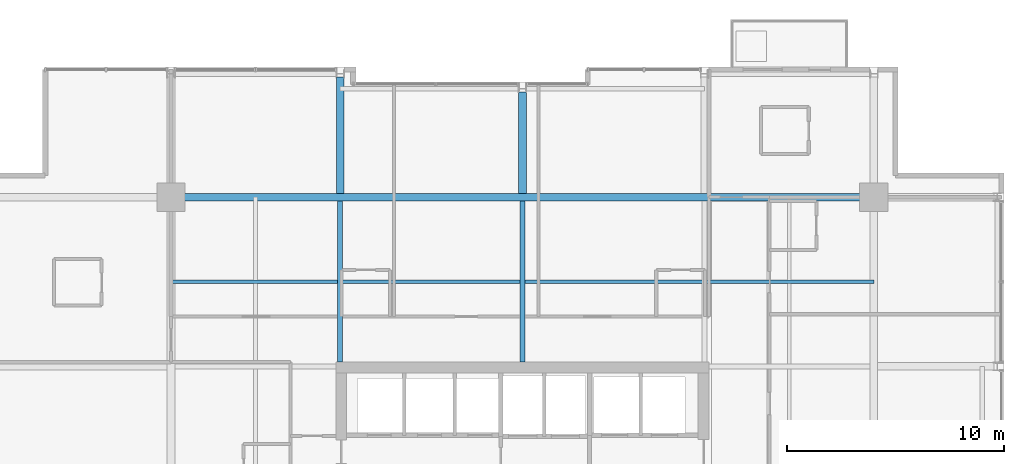
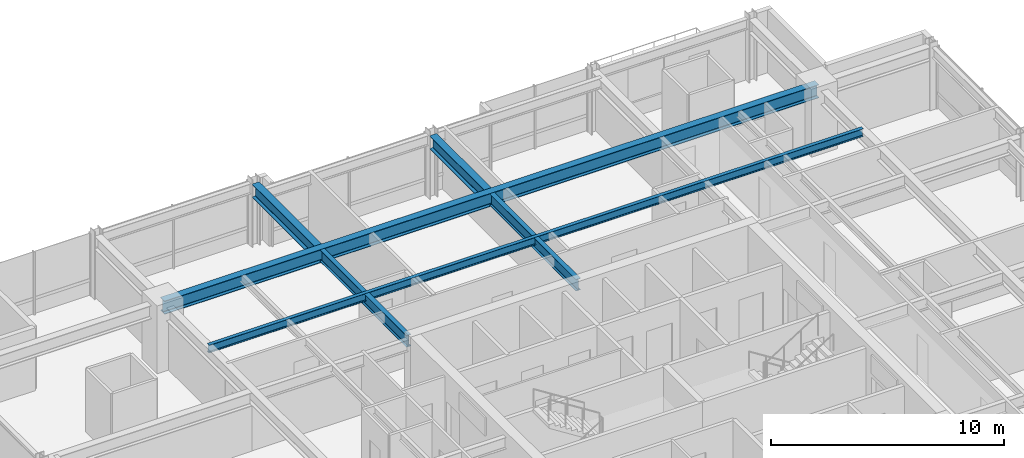
# One storey, part 20 of 33: 6 beams.
"""IFC4 building model written with IfcOpenShell, lengths in metres."""

from ifc_helpers import new_model, si_unit, direction, frame, origin, origin_2d, place, context, subcontext, project, spatial, i_section, extrude, material, material_profile, profile_set, type_object, element, save


model = new_model("IFC4")

# Units and contexts
model_context = context("Model", 3, precision=1e-05, world=origin(), true_north=direction((0.0, 1.0)))
body_context = subcontext(model_context, "Body", "Model", "MODEL_VIEW")
ifc_project = project(units=[si_unit("LENGTHUNIT", "METRE"), si_unit("AREAUNIT", "SQUARE_METRE"), si_unit("VOLUMEUNIT", "CUBIC_METRE"), si_unit("PLANEANGLEUNIT", "RADIAN"), si_unit("MASSUNIT", "GRAM", prefix="KILO")], contexts=[model_context])

# Site, building, storey
site_placement = place(None, origin())
site = spatial("IfcSite", under=ifc_project, at=site_placement, CompositionType="ELEMENT")
building_placement = place(site_placement, origin())
building = spatial("IfcBuilding", under=site, at=building_placement, Name="Drelvath Grand Hotel", CompositionType="ELEMENT")
storey_placement = place(building_placement, frame((0.0, 0.0, 178.800048828125)))
storey = spatial("IfcBuildingStorey", under=building, at=storey_placement, Name="L46", CompositionType="ELEMENT", Elevation=178.800048828125)

# Beams
ifc_material = material(Name="Steel ASTM A992 Gr 50", Category="steel")
ifc_material_profile_1 = material_profile(ifc_material, i_section(OverallWidth=0.177734375, OverallDepth=0.40673828125, WebThickness=0.0078125, FlangeThickness=0.0126953125, FilletRadius=0.014892578125, at=origin_2d()), Name="W16X40")
ifc_profile_set_1 = profile_set([ifc_material_profile_1], Name="Steel ASTM A992 Gr 50")
beam_type_1 = type_object("IfcBeamType", Name="Composite Floor Joist W16X40", PredefinedType="JOIST", material=ifc_profile_set_1)
beam_1_placement = place(storey_placement, frame((-16.199951171875, 39.300048828125, 3.086669921875), z_axis=(1.0, 0.0, 0.0), x_axis=(0.0, 1.0, 0.0)))
element("IfcBeam", 1, at=beam_1_placement, inside=storey, type_object=beam_type_1, Name="L46 Floor Joist J2", PredefinedType="JOIST", context=body_context, shape_type="SweptSolid", body=[
    extrude(i_section(OverallWidth=0.177734375, OverallDepth=0.40673828125, WebThickness=0.0078125, FlangeThickness=0.0126953125, FilletRadius=0.014892578125, at=origin_2d()), origin(), (0.0, 0.0, 1.0), 32.39990234375),
])
ifc_material_profile_2 = material_profile(ifc_material, i_section(OverallWidth=0.228271484375, OverallDepth=0.607666015625, WebThickness=0.01123046875, FlangeThickness=0.017333984375, FilletRadius=0.02001953125, at=origin_2d()), Name="W24X76")
ifc_profile_set_2 = profile_set([ifc_material_profile_2], Name="Steel ASTM A992 Gr 50")
beam_type_2 = type_object("IfcBeamType", Name="Primary Floor Girder W24X76", PredefinedType="BEAM", material=ifc_profile_set_2)
for number, where, z_axis, x_axis, name in (
    (2, (-8.39990234375, 35.60009765625, 2.986083984375), (0.0, 1.0, 0.0), (-1.0, 0.0, 0.0), "L46 North Core Tie 4"),
    (3, (0.0, 35.60009765625, 2.986083984375), (0.0, 1.0, 0.0), (-1.0, 0.0, 0.0), "L46 North Core Tie 5"),
):
    element("IfcBeam", number, at=place(storey_placement, frame(where, z_axis=z_axis, x_axis=x_axis)), inside=storey, type_object=beam_type_2, Name=name, PredefinedType="BEAM", context=body_context, shape_type="SweptSolid", body=[
        extrude(i_section(OverallWidth=0.228271484375, OverallDepth=0.607666015625, WebThickness=0.01123046875, FlangeThickness=0.017333984375, FilletRadius=0.02001953125, at=origin_2d()), origin(), (0.0, 0.0, 1.0), 7.422607421875),
    ])
ifc_material_profile_3 = material_profile(ifc_material, i_section(OverallWidth=0.354736328125, OverallDepth=0.695556640625, WebThickness=0.015380859375, FlangeThickness=0.025146484375, FilletRadius=0.02392578125, at=origin_2d()), Name="W27X146")
ifc_profile_set_3 = profile_set([ifc_material_profile_3], Name="Steel ASTM A992 Gr 50")
beam_type_3 = type_object("IfcBeamType", Name="Primary Floor Girder W27X146", PredefinedType="BEAM", material=ifc_profile_set_3)
beam_2_placement = place(storey_placement, frame((-16.199951171875, 43.199951171875, 2.942138671875), z_axis=(1.0, 0.0, 0.0), x_axis=(0.0, 1.0, 0.0)))
element("IfcBeam", 4, at=beam_2_placement, inside=storey, type_object=beam_type_3, Name="L46 Mega Ring Girder North", PredefinedType="BEAM", context=body_context, shape_type="SweptSolid", body=[
    extrude(i_section(OverallWidth=0.354736328125, OverallDepth=0.695556640625, WebThickness=0.015380859375, FlangeThickness=0.025146484375, FilletRadius=0.02392578125, at=origin_2d()), origin(), (0.0, 0.0, 1.0), 32.39990234375),
])
beam_3_placement = place(storey_placement, frame((-8.39990234375, 43.37744140625, 2.942138671875), z_axis=(0.0, 1.0, 0.0), x_axis=(-1.0, 0.0, 0.0)))
element("IfcBeam", 5, at=beam_3_placement, inside=storey, type_object=beam_type_3, Name="L46 North Wing Girder 4", PredefinedType="BEAM", context=body_context, shape_type="SweptSolid", body=[
    extrude(i_section(OverallWidth=0.354736328125, OverallDepth=0.695556640625, WebThickness=0.015380859375, FlangeThickness=0.025146484375, FilletRadius=0.02392578125, at=origin_2d()), origin(), (0.0, 0.0, 1.0), 5.362548828125),
])
beam_4_placement = place(storey_placement, frame((0.0, 43.37744140625, 2.942138671875), z_axis=(0.0, 1.0, 0.0), x_axis=(-1.0, 0.0, 0.0)))
element("IfcBeam", 6, at=beam_4_placement, inside=storey, type_object=beam_type_3, Name="L46 North Wing Girder 5", PredefinedType="BEAM", context=body_context, shape_type="SweptSolid", body=[
    extrude(i_section(OverallWidth=0.354736328125, OverallDepth=0.695556640625, WebThickness=0.015380859375, FlangeThickness=0.025146484375, FilletRadius=0.02392578125, at=origin_2d()), origin(), (0.0, 0.0, 1.0), 4.6826171875),
])

save(model, "model.ifc")
